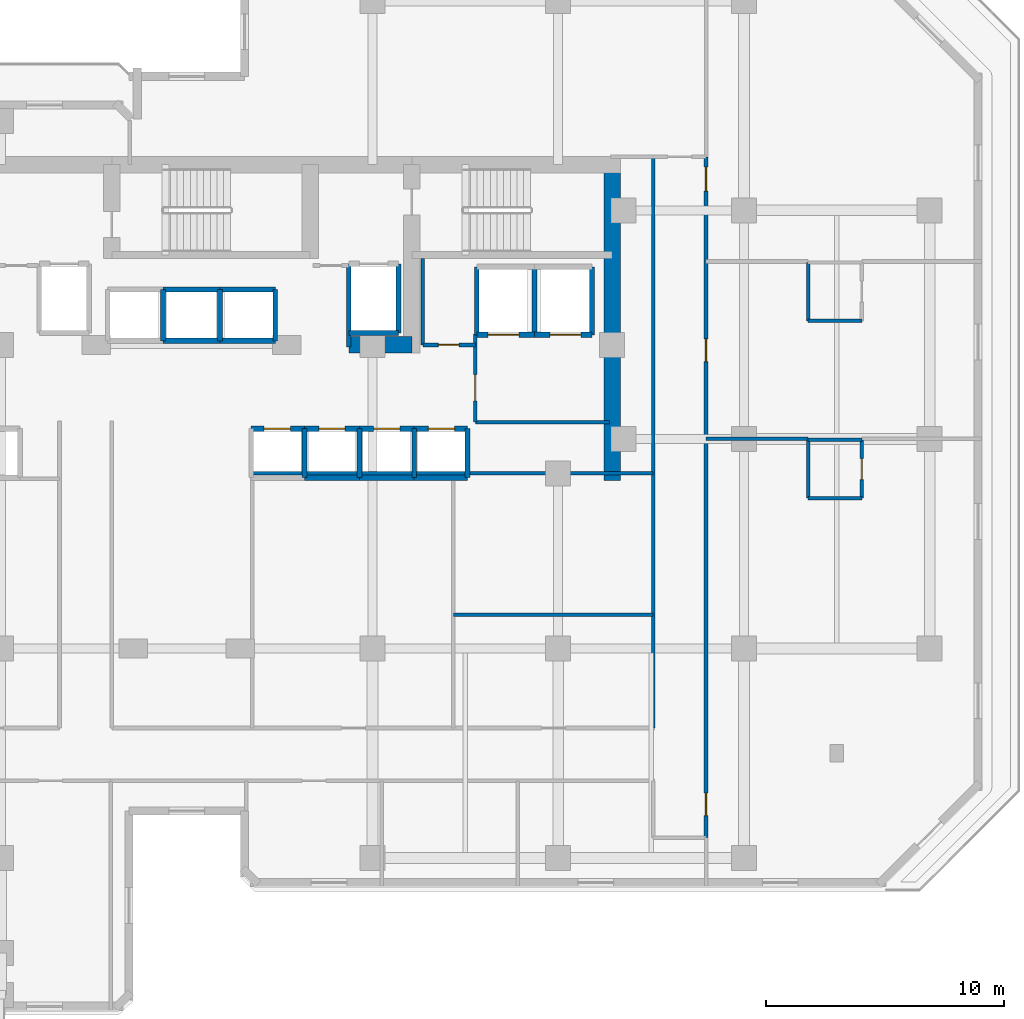
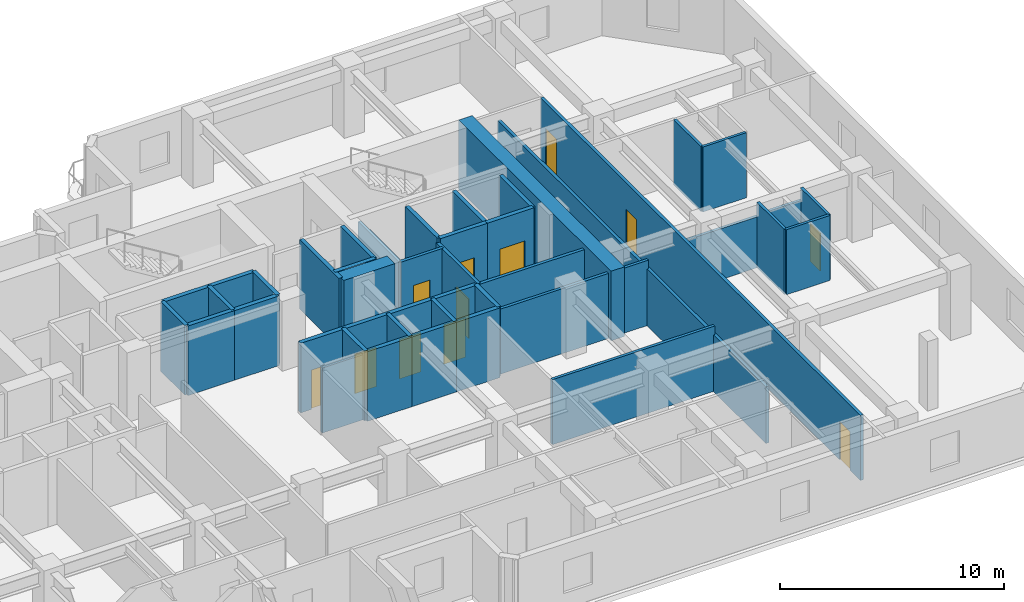
# One storey, part 7 of 11: 43 walls, 12 doors, 12 openings.
"""IFC4 building model written with IfcOpenShell, lengths in metres."""

from ifc_helpers import new_model, si_unit, direction, frame, frame_2d, origin, place, context, subcontext, project, spatial, rectangle, extrude, material, layer, layer_set, type_object, element, fill, save


model = new_model("IFC4")

# Units and contexts
model_context = context("Model", 3, precision=1e-05, world=origin(), true_north=direction((0.0, 1.0)))
body_context = subcontext(model_context, "Body", "Model", "MODEL_VIEW")
ifc_project = project(units=[si_unit("LENGTHUNIT", "METRE"), si_unit("AREAUNIT", "SQUARE_METRE"), si_unit("VOLUMEUNIT", "CUBIC_METRE"), si_unit("PLANEANGLEUNIT", "RADIAN"), si_unit("MASSUNIT", "GRAM", prefix="KILO")], contexts=[model_context])

# Site, building, storey
site_placement = place(None, origin())
site = spatial("IfcSite", under=ifc_project, at=site_placement, CompositionType="ELEMENT")
building_placement = place(site_placement, origin())
building = spatial("IfcBuilding", under=site, at=building_placement, Name="Kestravale Grand Hotel", CompositionType="ELEMENT")
storey_placement = place(building_placement, frame((0.0, 0.0, 134.60009765625)))
storey = spatial("IfcBuildingStorey", under=building, at=storey_placement, Name="L33", CompositionType="ELEMENT", Elevation=134.60009765625)

# Walls
ifc_material_1 = material(Name="Concrete f'c 60 MPa", Category="concrete")
ifc_layer_1 = layer(ifc_material_1, 0.699951171875)
ifc_layer_set_1 = layer_set([ifc_layer_1], Name="EW-CORE-700")
wall_type_1 = type_object("IfcWallType", Name="EW-CORE-700", PredefinedType="SHEAR", material=ifc_layer_set_1)
wall_1_placement = place(storey_placement, frame((56.8701171875, 27.050048828125, 0.0), z_axis=(0.0, 0.0, 1.0), x_axis=(0.0, 1.0, 0.0)))
element("IfcWall", 1, at=wall_1_placement, inside=storey, type_object=wall_type_1, Name="L33 core shear wall E1", PredefinedType="SHEAR", context=body_context, shape_type="SweptSolid", body=[
    extrude(rectangle(XDim=13.619873046875, YDim=0.699951171875, at=frame_2d((6.81005859375, 0.0))), origin(), (0.0, 0.0, 1.0), 3.7998046875),
])
wall_2_placement = place(storey_placement, frame((45.81005859375, 32.75, 0.0), z_axis=(0.0, 0.0, 1.0), x_axis=(1.0, 0.0, 0.0)))
element("IfcWall", 2, at=wall_2_placement, inside=storey, type_object=wall_type_1, Name="L33 core shear wall S2", PredefinedType="SHEAR", context=body_context, shape_type="SweptSolid", body=[
    extrude(rectangle(XDim=2.639892578125, YDim=0.699951171875, at=frame_2d((1.31982421875, 0.0))), origin(), (0.0, 0.0, 1.0), 3.7998046875),
])

# Wall, opening, door
ifc_material_2 = material(Name="Acoustic fire-rated gypsum board partition", Category="other")
ifc_layer_2 = layer(ifc_material_2, 0.159912109375)
ifc_layer_set_2 = layer_set([ifc_layer_2], Name="IW-CORR-160")
wall_type_2 = type_object("IfcWallType", Name="IW-CORR-160", PredefinedType="PARTITIONING", material=ifc_layer_set_2)
wall_3_placement = place(storey_placement, frame((51.1201171875, 29.5, 0.0), z_axis=(0.0, 0.0, 1.0), x_axis=(0.0, 1.0, 0.0)))
wall_3 = element("IfcWall", 3, at=wall_3_placement, inside=storey, type_object=wall_type_2, Name="W-L33-SVCLOB-W", PredefinedType="PARTITIONING", context=body_context, shape_type="SweptSolid", body=[
    extrude(rectangle(XDim=3.699951171875, YDim=0.159912109375, at=frame_2d((1.85009765625, 0.0))), origin(), (0.0, 0.0, 1.0), 3.5498046875),
])
opening_1_placement = place(wall_3_placement, frame((0.89990234375, 0.0, 0.0)))
opening_1 = element("IfcOpeningElement", 4, at=opening_1_placement, cuts=wall_3, Name="Opening D-CORR-1100", PredefinedType="OPENING", context=body_context, shape_type="SweptSolid", body=[
    extrude(rectangle(XDim=1.10009765625, YDim=2.14990234375, at=frame_2d((0.550048828125, 1.074951171875))), frame((0.0, 0.08984375, 0.0), z_axis=(0.0, -1.0, 0.0), x_axis=(1.0, 0.0, 0.0)), (0.0, 0.0, 1.0), 0.179931640625),
])
ifc_material_3 = material(Name="Single-leaf service vestibule fire door", Category="steel")
door_type_1 = type_object("IfcDoorType", Name="D-CORR-1100", OperationType="NOTDEFINED", PredefinedType="DOOR", material=ifc_material_3)
door_1_placement = place(opening_1_placement, origin())
door_1 = element("IfcDoor", 5, at=door_1_placement, inside=storey, type_object=door_type_1, Name="L33 service lift lobby door", OperationType="SINGLE_SWING_LEFT", OverallHeight=2.14990234375, OverallWidth=1.10009765625, PredefinedType="DOOR", context=body_context, shape_type="SweptSolid", body=[
    extrude(rectangle(XDim=1.10009765625, YDim=2.14990234375, at=frame_2d((0.550048828125, 1.074951171875))), frame((0.0, 0.02490234375, 0.0), z_axis=(0.0, -1.0, 0.0), x_axis=(1.0, 0.0, 0.0)), (0.0, 0.0, 1.0), 0.050048828125),
])
fill(opening_1, door_1)

# Wall
wall_4_placement = place(storey_placement, frame((51.1201171875, 29.5, 0.0), z_axis=(0.0, 0.0, 1.0), x_axis=(1.0, 0.0, 0.0)))
element("IfcWall", 6, at=wall_4_placement, inside=storey, type_object=wall_type_2, Name="L33 service lift lobby wall", PredefinedType="PARTITIONING", context=body_context, shape_type="SweptSolid", body=[
    extrude(rectangle(XDim=5.6298828125, YDim=0.159912109375, at=frame_2d((2.81494140625, 0.0))), origin(), (0.0, 0.0, 1.0), 3.5498046875),
])

# Wall, opening, door
wall_5_placement = place(storey_placement, frame((48.919921875, 32.75, 0.0), z_axis=(0.0, 0.0, 1.0), x_axis=(1.0, 0.0, 0.0)))
wall_5 = element("IfcWall", 7, at=wall_5_placement, inside=storey, type_object=wall_type_2, Name="W-L33-CES", PredefinedType="PARTITIONING", context=body_context, shape_type="SweptSolid", body=[
    extrude(rectangle(XDim=2.2001953125, YDim=0.159912109375, at=frame_2d((1.10009765625, 0.0))), origin(), (0.0, 0.0, 1.0), 3.5498046875),
])
opening_2_placement = place(wall_5_placement, frame((0.64990234375, 0.0, 0.0)))
opening_2 = element("IfcOpeningElement", 8, at=opening_2_placement, cuts=wall_5, Name="Opening D-SH-860", PredefinedType="OPENING", context=body_context, shape_type="SweptSolid", body=[
    extrude(rectangle(XDim=0.860107421875, YDim=2.050048828125, at=frame_2d((0.43017578125, 1.02490234375))), frame((0.0, 0.08984375, 0.0), z_axis=(0.0, -1.0, 0.0), x_axis=(1.0, 0.0, 0.0)), (0.0, 0.0, 1.0), 0.179931640625),
])
ifc_material_4 = material(Name="Galvanised 90-minute riser fire door", Category="steel")
door_type_2 = type_object("IfcDoorType", Name="D-SH-860", OperationType="NOTDEFINED", PredefinedType="DOOR", material=ifc_material_4)
door_2_placement = place(opening_2_placement, origin())
door_2 = element("IfcDoor", 9, at=door_2_placement, inside=storey, type_object=door_type_2, Name="L33 CSTO1 door", OperationType="SINGLE_SWING_RIGHT", OverallHeight=2.050048828125, OverallWidth=0.860107421875, PredefinedType="DOOR", context=body_context, shape_type="SweptSolid", body=[
    extrude(rectangle(XDim=0.860107421875, YDim=2.050048828125, at=frame_2d((0.43017578125, 1.02490234375))), frame((0.0, 0.02490234375, 0.0), z_axis=(0.0, -1.0, 0.0), x_axis=(1.0, 0.0, 0.0)), (0.0, 0.0, 1.0), 0.050048828125),
])
fill(opening_2, door_2)

# Wall, openings, doors
wall_6_placement = place(storey_placement, frame((60.81005859375, 12.050048828125, 0.0), z_axis=(0.0, 0.0, 1.0), x_axis=(0.0, 1.0, 0.0)))
wall_6 = element("IfcWall", 10, at=wall_6_placement, inside=storey, type_object=wall_type_2, Name="W-L33-SE-E", PredefinedType="PARTITIONING", context=body_context, shape_type="SweptSolid", body=[
    extrude(rectangle(XDim=28.599853515625, YDim=0.159912109375, at=frame_2d((14.2998046875, 0.0))), origin(), (0.0, 0.0, 1.0), 3.5498046875),
])
opening_3_placement = place(wall_6_placement, frame((0.925048828125, 0.0, 0.0)))
opening_3 = element("IfcOpeningElement", 11, at=opening_3_placement, cuts=wall_6, Name="Opening D-GUEST-950", PredefinedType="OPENING", context=body_context, shape_type="SweptSolid", body=[
    extrude(rectangle(XDim=0.949951171875, YDim=2.10009765625, at=frame_2d((0.47509765625, 1.050048828125))), frame((0.0, 0.08984375, 0.0), z_axis=(0.0, -1.0, 0.0), x_axis=(1.0, 0.0, 0.0)), (0.0, 0.0, 1.0), 0.179931640625),
])
opening_4_placement = place(wall_6_placement, frame((20.0, 0.0, 0.0)))
opening_4 = element("IfcOpeningElement", 12, at=opening_4_placement, cuts=wall_6, Name="Opening D-GUEST-950", PredefinedType="OPENING", context=body_context, shape_type="SweptSolid", body=[
    extrude(rectangle(XDim=0.949951171875, YDim=2.10009765625, at=frame_2d((0.47509765625, 1.050048828125))), frame((0.0, 0.08984375, 0.0), z_axis=(0.0, -1.0, 0.0), x_axis=(1.0, 0.0, 0.0)), (0.0, 0.0, 1.0), 0.179931640625),
])
opening_5_placement = place(wall_6_placement, frame((27.159912109375, 0.0, 0.0)))
opening_5 = element("IfcOpeningElement", 13, at=opening_5_placement, cuts=wall_6, Name="Opening D-GUEST-1000", PredefinedType="OPENING", context=body_context, shape_type="SweptSolid", body=[
    extrude(rectangle(XDim=1.0, YDim=2.14990234375, at=frame_2d((0.5, 1.074951171875))), frame((0.0, 0.08984375, 0.0), z_axis=(0.0, -1.0, 0.0), x_axis=(1.0, 0.0, 0.0)), (0.0, 0.0, 1.0), 0.179931640625),
])
ifc_material_5 = material(Name="Accessible walnut veneer hotel entrance fire door", Category="wood")
door_type_3 = type_object("IfcDoorType", Name="D-GUEST-1000", OperationType="NOTDEFINED", PredefinedType="DOOR", material=ifc_material_5)
door_3_placement = place(opening_5_placement, origin())
door_3 = element("IfcDoor", 14, at=door_3_placement, inside=storey, type_object=door_type_3, Name="D-L33-AMEW", OperationType="SINGLE_SWING_RIGHT", OverallHeight=2.14990234375, OverallWidth=1.0, PredefinedType="DOOR", context=body_context, shape_type="SweptSolid", body=[
    extrude(rectangle(XDim=1.0, YDim=2.14990234375, at=frame_2d((0.5, 1.074951171875))), frame((0.0, 0.02490234375, 0.0), z_axis=(0.0, -1.0, 0.0), x_axis=(1.0, 0.0, 0.0)), (0.0, 0.0, 1.0), 0.050048828125),
])
fill(opening_5, door_3)
ifc_material_6 = material(Name="Walnut veneer hotel guestroom entrance fire door", Category="wood")
door_type_4 = type_object("IfcDoorType", Name="D-GUEST-950", OperationType="NOTDEFINED", PredefinedType="DOOR", material=ifc_material_6)
door_4_placement = place(opening_3_placement, origin())
door_4 = element("IfcDoor", 15, at=door_4_placement, inside=storey, type_object=door_type_4, Name="D-L33-U06-ENT", OperationType="SINGLE_SWING_LEFT", OverallHeight=2.10009765625, OverallWidth=0.949951171875, PredefinedType="DOOR", context=body_context, shape_type="SweptSolid", body=[
    extrude(rectangle(XDim=0.949951171875, YDim=2.10009765625, at=frame_2d((0.47509765625, 1.050048828125))), frame((0.0, 0.02490234375, 0.0), z_axis=(0.0, -1.0, 0.0), x_axis=(1.0, 0.0, 0.0)), (0.0, 0.0, 1.0), 0.050048828125),
])
fill(opening_3, door_4)
door_5_placement = place(opening_4_placement, origin())
door_5 = element("IfcDoor", 16, at=door_5_placement, inside=storey, type_object=door_type_4, Name="D-L33-U07-ENT", OperationType="SINGLE_SWING_LEFT", OverallHeight=2.10009765625, OverallWidth=0.949951171875, PredefinedType="DOOR", context=body_context, shape_type="SweptSolid", body=[
    extrude(rectangle(XDim=0.949951171875, YDim=2.10009765625, at=frame_2d((0.47509765625, 1.050048828125))), frame((0.0, 0.02490234375, 0.0), z_axis=(0.0, -1.0, 0.0), x_axis=(1.0, 0.0, 0.0)), (0.0, 0.0, 1.0), 0.050048828125),
])
fill(opening_4, door_5)

# Walls
wall_7_placement = place(storey_placement, frame((58.590087890625, 16.659912109375, 0.0), z_axis=(0.0, 0.0, 1.0), x_axis=(0.0, 1.0, 0.0)))
element("IfcWall", 17, at=wall_7_placement, inside=storey, type_object=wall_type_2, Name="W-L33-SE-WU", PredefinedType="PARTITIONING", context=body_context, shape_type="SweptSolid", body=[
    extrude(rectangle(XDim=23.989990234375, YDim=0.159912109375, at=frame_2d((11.9951171875, 0.0))), origin(), (0.0, 0.0, 1.0), 3.093017578125),
])
ifc_material_7 = material(Name="Moisture-resistant tile-backer plumbing chase wall", Category="other")
ifc_layer_3 = layer(ifc_material_7, 0.139892578125)
ifc_layer_set_3 = layer_set([ifc_layer_3], Name="IW-PLB-140")
wall_type_3 = type_object("IfcWallType", Name="IW-PLB-140", PredefinedType="PLUMBINGWALL", material=ifc_layer_set_3)
wall_8_placement = place(storey_placement, frame((65.10009765625, 26.31005859375, 0.0), z_axis=(0.0, 0.0, 1.0), x_axis=(0.0, 1.0, 0.0)))
element("IfcWall", 18, at=wall_8_placement, inside=storey, type_object=wall_type_3, Name="W-L33-U06-BW", PredefinedType="PLUMBINGWALL", context=body_context, shape_type="SweptSolid", body=[
    extrude(rectangle(XDim=2.449951171875, YDim=0.139892578125, at=frame_2d((1.22509765625, 0.0))), origin(), (0.0, 0.0, 1.0), 3.5498046875),
])

# Wall, opening, door
wall_9_placement = place(storey_placement, frame((67.35009765625, 26.31005859375, 0.0), z_axis=(0.0, 0.0, 1.0), x_axis=(0.0, 1.0, 0.0)))
wall_9 = element("IfcWall", 19, at=wall_9_placement, inside=storey, type_object=wall_type_3, Name="W-L33-U06-BE", PredefinedType="PLUMBINGWALL", context=body_context, shape_type="SweptSolid", body=[
    extrude(rectangle(XDim=2.449951171875, YDim=0.139892578125, at=frame_2d((1.22509765625, 0.0))), origin(), (0.0, 0.0, 1.0), 3.5498046875),
])
opening_6_placement = place(wall_9_placement, frame((0.784912109375, 0.0, 0.0)))
opening_6 = element("IfcOpeningElement", 20, at=opening_6_placement, cuts=wall_9, Name="Opening D-BATH-880", PredefinedType="OPENING", context=body_context, shape_type="SweptSolid", body=[
    extrude(rectangle(XDim=0.8798828125, YDim=2.050048828125, at=frame_2d((0.43994140625, 1.02490234375))), frame((0.0, 0.079833984375, 0.0), z_axis=(0.0, -1.0, 0.0), x_axis=(1.0, 0.0, 0.0)), (0.0, 0.0, 1.0), 0.159912109375),
])
ifc_material_8 = material(Name="Moisture-sealed walnut en-suite bathroom door", Category="wood")
door_type_5 = type_object("IfcDoorType", Name="D-BATH-880", OperationType="NOTDEFINED", PredefinedType="DOOR", material=ifc_material_8)
door_6_placement = place(opening_6_placement, origin())
door_6 = element("IfcDoor", 21, at=door_6_placement, inside=storey, type_object=door_type_5, Name="D-L33-U06-BATH", OperationType="SINGLE_SWING_RIGHT", OverallHeight=2.050048828125, OverallWidth=0.8798828125, PredefinedType="DOOR", context=body_context, shape_type="SweptSolid", body=[
    extrude(rectangle(XDim=0.8798828125, YDim=2.050048828125, at=frame_2d((0.43994140625, 1.02490234375))), frame((0.0, 0.02490234375, 0.0), z_axis=(0.0, -1.0, 0.0), x_axis=(1.0, 0.0, 0.0)), (0.0, 0.0, 1.0), 0.050048828125),
])
fill(opening_6, door_6)

# Walls
wall_10_placement = place(storey_placement, frame((65.10009765625, 26.31005859375, 0.0), z_axis=(0.0, 0.0, 1.0), x_axis=(1.0, 0.0, 0.0)))
element("IfcWall", 22, at=wall_10_placement, inside=storey, type_object=wall_type_3, Name="W-L33-U06-BS", PredefinedType="PLUMBINGWALL", context=body_context, shape_type="SweptSolid", body=[
    extrude(rectangle(XDim=2.25, YDim=0.139892578125, at=frame_2d((1.125, 0.0))), origin(), (0.0, 0.0, 1.0), 3.5498046875),
])
wall_11_placement = place(storey_placement, frame((65.10009765625, 28.760009765625, 0.0), z_axis=(0.0, 0.0, 1.0), x_axis=(1.0, 0.0, 0.0)))
element("IfcWall", 23, at=wall_11_placement, inside=storey, type_object=wall_type_3, Name="W-L33-U06-BN", PredefinedType="PLUMBINGWALL", context=body_context, shape_type="SweptSolid", body=[
    extrude(rectangle(XDim=2.25, YDim=0.139892578125, at=frame_2d((1.125, 0.0))), origin(), (0.0, 0.0, 1.0), 2.89990234375),
])
wall_12_placement = place(storey_placement, frame((65.10009765625, 33.760009765625, 0.0), z_axis=(0.0, 0.0, 1.0), x_axis=(0.0, 1.0, 0.0)))
element("IfcWall", 24, at=wall_12_placement, inside=storey, type_object=wall_type_3, Name="W-L33-U07-BW", PredefinedType="PLUMBINGWALL", context=body_context, shape_type="SweptSolid", body=[
    extrude(rectangle(XDim=2.449951171875, YDim=0.139892578125, at=frame_2d((1.22509765625, 0.0))), origin(), (0.0, 0.0, 1.0), 3.5498046875),
])
wall_13_placement = place(storey_placement, frame((65.10009765625, 33.760009765625, 0.0), z_axis=(0.0, 0.0, 1.0), x_axis=(1.0, 0.0, 0.0)))
element("IfcWall", 25, at=wall_13_placement, inside=storey, type_object=wall_type_3, Name="W-L33-U07-BS", PredefinedType="PLUMBINGWALL", context=body_context, shape_type="SweptSolid", body=[
    extrude(rectangle(XDim=2.25, YDim=0.139892578125, at=frame_2d((1.125, 0.0))), origin(), (0.0, 0.0, 1.0), 3.5498046875),
])
ifc_material_9 = material(Name="Concrete f'c 45 MPa", Category="concrete")
ifc_layer_4 = layer(ifc_material_9, 0.199951171875)
ifc_layer_set_4 = layer_set([ifc_layer_4], Name="IW-SHAFT-200")
wall_type_4 = type_object("IfcWallType", Name="IW-SHAFT-200", PredefinedType="SHEAR", material=ifc_layer_set_4)
for number, where, z_axis, x_axis, name in (
    (26, (43.949951171875, 27.169921875, 0.0), (0.0, 0.0, 1.0), (0.0, 1.0, 0.0), "L33 PL-M2 west shaft wall"),
    (27, (46.25, 27.169921875, 0.0), (0.0, 0.0, 1.0), (0.0, 1.0, 0.0), "L33 PL-M3 west shaft wall"),
    (28, (48.550048828125, 27.169921875, 0.0), (0.0, 0.0, 1.0), (0.0, 1.0, 0.0), "L33 PL-M4 west shaft wall"),
    (29, (50.794921875, 27.169921875, 0.0), (0.0, 0.0, 1.0), (0.0, 1.0, 0.0), "L33 PL-M4 east shaft wall"),
):
    element("IfcWall", number, at=place(storey_placement, frame(where, z_axis=z_axis, x_axis=x_axis)), inside=storey, type_object=wall_type_4, Name=name, PredefinedType="SHEAR", context=body_context, shape_type="SweptSolid", body=[
        extrude(rectangle(XDim=2.06005859375, YDim=0.199951171875, at=frame_2d((1.030029296875, 0.0))), origin(), (0.0, 0.0, 1.0), 3.7998046875),
    ])
for number, where, z_axis, x_axis, name in (
    (30, (38.0, 32.919921875, 0.0), (0.0, 0.0, 1.0), (0.0, 1.0, 0.0), "L33 PL-X2 west shaft wall"),
    (31, (40.39990234375, 32.919921875, 0.0), (0.0, 0.0, 1.0), (0.0, 1.0, 0.0), "L33 PL-X3 west shaft wall"),
    (32, (42.719970703125, 32.919921875, 0.0), (0.0, 0.0, 1.0), (0.0, 1.0, 0.0), "L33 PL-X3 east shaft wall"),
):
    element("IfcWall", number, at=place(storey_placement, frame(where, z_axis=z_axis, x_axis=x_axis)), inside=storey, type_object=wall_type_4, Name=name, PredefinedType="SHEAR", context=body_context, shape_type="SweptSolid", body=[
        extrude(rectangle(XDim=2.16015625, YDim=0.199951171875, at=frame_2d((1.080078125, 0.0))), origin(), (0.0, 0.0, 1.0), 3.7998046875),
    ])
for number, where, z_axis, x_axis, name in (
    (33, (51.179931640625, 33.169921875, 0.0), (0.0, 0.0, 1.0), (0.0, 1.0, 0.0), "L33 SL-1 west shaft wall"),
    (34, (53.60009765625, 33.169921875, 0.0), (0.0, 0.0, 1.0), (0.0, 1.0, 0.0), "L33 SL-2 west shaft wall"),
    (35, (56.02001953125, 33.169921875, 0.0), (0.0, 0.0, 1.0), (0.0, 1.0, 0.0), "L33 SL-2 east shaft wall"),
):
    element("IfcWall", number, at=place(storey_placement, frame(where, z_axis=z_axis, x_axis=x_axis)), inside=storey, type_object=wall_type_4, Name=name, PredefinedType="SHEAR", context=body_context, shape_type="SweptSolid", body=[
        extrude(rectangle(XDim=2.860107421875, YDim=0.199951171875, at=frame_2d((1.43017578125, 0.0))), origin(), (0.0, 0.0, 1.0), 3.7998046875),
    ])
wall_14_placement = place(storey_placement, frame((45.804931640625, 32.64990234375, 0.0), z_axis=(0.0, 0.0, 1.0), x_axis=(0.0, 1.0, 0.0)))
element("IfcWall", 36, at=wall_14_placement, inside=storey, type_object=wall_type_4, Name="L33 FL-2 west shaft wall", PredefinedType="SHEAR", context=body_context, shape_type="SweptSolid", body=[
    extrude(rectangle(XDim=3.505126953125, YDim=0.199951171875, at=frame_2d((1.75244140625, 0.0))), origin(), (0.0, 0.0, 1.0), 3.7998046875),
])
wall_15_placement = place(storey_placement, frame((47.89501953125, 33.2451171875, 0.0), z_axis=(0.0, 0.0, 1.0), x_axis=(0.0, 1.0, 0.0)))
element("IfcWall", 37, at=wall_15_placement, inside=storey, type_object=wall_type_4, Name="L33 FL-2 east shaft wall", PredefinedType="SHEAR", context=body_context, shape_type="SweptSolid", body=[
    extrude(rectangle(XDim=2.909912109375, YDim=0.199951171875, at=frame_2d((1.455078125, 0.0))), origin(), (0.0, 0.0, 1.0), 3.7998046875),
])

# Wall, opening, door
ifc_material_10 = material(Name="Concrete f'c 45 MPa", Category="concrete")
ifc_layer_5 = layer(ifc_material_10, 0.219970703125)
ifc_layer_set_5 = layer_set([ifc_layer_5], Name="IW-SHAFT-220")
wall_type_5 = type_object("IfcWallType", Name="IW-SHAFT-220", PredefinedType="SHEAR", material=ifc_layer_set_5)
wall_16_placement = place(storey_placement, frame((41.705078125, 29.22998046875, 0.0), z_axis=(0.0, 0.0, 1.0), x_axis=(1.0, 0.0, 0.0)))
wall_16 = element("IfcWall", 38, at=wall_16_placement, inside=storey, type_object=wall_type_5, Name="L33 PL-M1 north shaft wall", PredefinedType="SHEAR", context=body_context, shape_type="SweptSolid", body=[
    extrude(rectangle(XDim=2.244873046875, YDim=0.219970703125, at=frame_2d((1.12255859375, 0.0))), origin(), (0.0, 0.0, 1.0), 3.7998046875),
])
opening_7_placement = place(wall_16_placement, frame((0.544921875, 0.0, 0.0)))
opening_7 = element("IfcOpeningElement", 39, at=opening_7_placement, cuts=wall_16, Name="Opening LD-PAX-1100", PredefinedType="OPENING", context=body_context, shape_type="SweptSolid", body=[
    extrude(rectangle(XDim=1.10009765625, YDim=2.14990234375, at=frame_2d((0.550048828125, 1.074951171875))), frame((0.0, 0.119873046875, 0.0), z_axis=(0.0, -1.0, 0.0), x_axis=(1.0, 0.0, 0.0)), (0.0, 0.0, 1.0), 0.239990234375),
])
ifc_material_11 = material(Name="Champagne-bronze center-opening sliding elevator landing door", Category="steel")
door_type_6 = type_object("IfcDoorType", Name="LD-PAX-1100", OperationType="NOTDEFINED", PredefinedType="DOOR", material=ifc_material_11)
door_7_placement = place(opening_7_placement, origin())
door_7 = element("IfcDoor", 40, at=door_7_placement, inside=storey, type_object=door_type_6, Name="L33 PL-M1 elevator landing sliding door", OperationType="DOUBLE_DOOR_SLIDING", OverallHeight=2.14990234375, OverallWidth=1.10009765625, PredefinedType="DOOR", context=body_context, shape_type="SweptSolid", body=[
    extrude(rectangle(XDim=1.10009765625, YDim=2.14990234375, at=frame_2d((0.550048828125, 1.074951171875))), frame((0.0, 0.02490234375, 0.0), z_axis=(0.0, -1.0, 0.0), x_axis=(1.0, 0.0, 0.0)), (0.0, 0.0, 1.0), 0.050048828125),
])
fill(opening_7, door_7)

wall_17_placement = place(storey_placement, frame((43.949951171875, 29.22998046875, 0.0), z_axis=(0.0, 0.0, 1.0), x_axis=(1.0, 0.0, 0.0)))
wall_17 = element("IfcWall", 41, at=wall_17_placement, inside=storey, type_object=wall_type_5, Name="L33 PL-M2 north shaft wall", PredefinedType="SHEAR", context=body_context, shape_type="SweptSolid", body=[
    extrude(rectangle(XDim=2.300048828125, YDim=0.219970703125, at=frame_2d((1.14990234375, 0.0))), origin(), (0.0, 0.0, 1.0), 3.7998046875),
])
opening_8_placement = place(wall_17_placement, frame((0.60009765625, 0.0, 0.0)))
opening_8 = element("IfcOpeningElement", 42, at=opening_8_placement, cuts=wall_17, Name="Opening LD-PAX-1100", PredefinedType="OPENING", context=body_context, shape_type="SweptSolid", body=[
    extrude(rectangle(XDim=1.10009765625, YDim=2.14990234375, at=frame_2d((0.550048828125, 1.074951171875))), frame((0.0, 0.119873046875, 0.0), z_axis=(0.0, -1.0, 0.0), x_axis=(1.0, 0.0, 0.0)), (0.0, 0.0, 1.0), 0.239990234375),
])
door_8_placement = place(opening_8_placement, origin())
door_8 = element("IfcDoor", 43, at=door_8_placement, inside=storey, type_object=door_type_6, Name="L33 PL-M2 elevator landing sliding door", OperationType="DOUBLE_DOOR_SLIDING", OverallHeight=2.14990234375, OverallWidth=1.10009765625, PredefinedType="DOOR", context=body_context, shape_type="SweptSolid", body=[
    extrude(rectangle(XDim=1.10009765625, YDim=2.14990234375, at=frame_2d((0.550048828125, 1.074951171875))), frame((0.0, 0.02490234375, 0.0), z_axis=(0.0, -1.0, 0.0), x_axis=(1.0, 0.0, 0.0)), (0.0, 0.0, 1.0), 0.050048828125),
])
fill(opening_8, door_8)

# Wall
wall_18_placement = place(storey_placement, frame((43.949951171875, 27.169921875, 0.0), z_axis=(0.0, 0.0, 1.0), x_axis=(1.0, 0.0, 0.0)))
element("IfcWall", 44, at=wall_18_placement, inside=storey, type_object=wall_type_5, Name="L33 PL-M2 south shaft wall", PredefinedType="SHEAR", context=body_context, shape_type="SweptSolid", body=[
    extrude(rectangle(XDim=2.300048828125, YDim=0.219970703125, at=frame_2d((1.14990234375, 0.0))), origin(), (0.0, 0.0, 1.0), 3.7998046875),
])

# Wall, opening, door
wall_19_placement = place(storey_placement, frame((46.25, 29.22998046875, 0.0), z_axis=(0.0, 0.0, 1.0), x_axis=(1.0, 0.0, 0.0)))
wall_19 = element("IfcWall", 45, at=wall_19_placement, inside=storey, type_object=wall_type_5, Name="L33 PL-M3 north shaft wall", PredefinedType="SHEAR", context=body_context, shape_type="SweptSolid", body=[
    extrude(rectangle(XDim=2.300048828125, YDim=0.219970703125, at=frame_2d((1.14990234375, 0.0))), origin(), (0.0, 0.0, 1.0), 3.7998046875),
])
opening_9_placement = place(wall_19_placement, frame((0.60009765625, 0.0, 0.0)))
opening_9 = element("IfcOpeningElement", 46, at=opening_9_placement, cuts=wall_19, Name="Opening LD-PAX-1100", PredefinedType="OPENING", context=body_context, shape_type="SweptSolid", body=[
    extrude(rectangle(XDim=1.10009765625, YDim=2.14990234375, at=frame_2d((0.550048828125, 1.074951171875))), frame((0.0, 0.119873046875, 0.0), z_axis=(0.0, -1.0, 0.0), x_axis=(1.0, 0.0, 0.0)), (0.0, 0.0, 1.0), 0.239990234375),
])
door_9_placement = place(opening_9_placement, origin())
door_9 = element("IfcDoor", 47, at=door_9_placement, inside=storey, type_object=door_type_6, Name="L33 PL-M3 elevator landing sliding door", OperationType="DOUBLE_DOOR_SLIDING", OverallHeight=2.14990234375, OverallWidth=1.10009765625, PredefinedType="DOOR", context=body_context, shape_type="SweptSolid", body=[
    extrude(rectangle(XDim=1.10009765625, YDim=2.14990234375, at=frame_2d((0.550048828125, 1.074951171875))), frame((0.0, 0.02490234375, 0.0), z_axis=(0.0, -1.0, 0.0), x_axis=(1.0, 0.0, 0.0)), (0.0, 0.0, 1.0), 0.050048828125),
])
fill(opening_9, door_9)

# Wall
wall_20_placement = place(storey_placement, frame((46.25, 27.169921875, 0.0), z_axis=(0.0, 0.0, 1.0), x_axis=(1.0, 0.0, 0.0)))
element("IfcWall", 48, at=wall_20_placement, inside=storey, type_object=wall_type_5, Name="L33 PL-M3 south shaft wall", PredefinedType="SHEAR", context=body_context, shape_type="SweptSolid", body=[
    extrude(rectangle(XDim=2.300048828125, YDim=0.219970703125, at=frame_2d((1.14990234375, 0.0))), origin(), (0.0, 0.0, 1.0), 3.7998046875),
])

# Wall, opening, door
wall_21_placement = place(storey_placement, frame((48.550048828125, 29.22998046875, 0.0), z_axis=(0.0, 0.0, 1.0), x_axis=(1.0, 0.0, 0.0)))
wall_21 = element("IfcWall", 49, at=wall_21_placement, inside=storey, type_object=wall_type_5, Name="L33 PL-M4 north shaft wall", PredefinedType="SHEAR", context=body_context, shape_type="SweptSolid", body=[
    extrude(rectangle(XDim=2.244873046875, YDim=0.219970703125, at=frame_2d((1.12255859375, 0.0))), origin(), (0.0, 0.0, 1.0), 3.7998046875),
])
opening_10_placement = place(wall_21_placement, frame((0.60009765625, 0.0, 0.0)))
opening_10 = element("IfcOpeningElement", 50, at=opening_10_placement, cuts=wall_21, Name="Opening LD-PAX-1100", PredefinedType="OPENING", context=body_context, shape_type="SweptSolid", body=[
    extrude(rectangle(XDim=1.10009765625, YDim=2.14990234375, at=frame_2d((0.550048828125, 1.074951171875))), frame((0.0, 0.119873046875, 0.0), z_axis=(0.0, -1.0, 0.0), x_axis=(1.0, 0.0, 0.0)), (0.0, 0.0, 1.0), 0.239990234375),
])
door_10_placement = place(opening_10_placement, origin())
door_10 = element("IfcDoor", 51, at=door_10_placement, inside=storey, type_object=door_type_6, Name="L33 PL-M4 elevator landing sliding door", OperationType="DOUBLE_DOOR_SLIDING", OverallHeight=2.14990234375, OverallWidth=1.10009765625, PredefinedType="DOOR", context=body_context, shape_type="SweptSolid", body=[
    extrude(rectangle(XDim=1.10009765625, YDim=2.14990234375, at=frame_2d((0.550048828125, 1.074951171875))), frame((0.0, 0.02490234375, 0.0), z_axis=(0.0, -1.0, 0.0), x_axis=(1.0, 0.0, 0.0)), (0.0, 0.0, 1.0), 0.050048828125),
])
fill(opening_10, door_10)

# Walls
wall_22_placement = place(storey_placement, frame((48.550048828125, 27.169921875, 0.0), z_axis=(0.0, 0.0, 1.0), x_axis=(1.0, 0.0, 0.0)))
element("IfcWall", 52, at=wall_22_placement, inside=storey, type_object=wall_type_5, Name="L33 PL-M4 south shaft wall", PredefinedType="SHEAR", context=body_context, shape_type="SweptSolid", body=[
    extrude(rectangle(XDim=2.244873046875, YDim=0.219970703125, at=frame_2d((1.12255859375, 0.0))), origin(), (0.0, 0.0, 1.0), 3.7998046875),
])
for number, where, z_axis, x_axis, name in (
    (53, (38.0, 35.080078125, 0.0), (0.0, 0.0, 1.0), (1.0, 0.0, 0.0), "L33 PL-X2 north shaft wall"),
    (54, (38.0, 32.919921875, 0.0), (0.0, 0.0, 1.0), (1.0, 0.0, 0.0), "L33 PL-X2 south shaft wall"),
):
    element("IfcWall", number, at=place(storey_placement, frame(where, z_axis=z_axis, x_axis=x_axis)), inside=storey, type_object=wall_type_5, Name=name, PredefinedType="SHEAR", context=body_context, shape_type="SweptSolid", body=[
        extrude(rectangle(XDim=2.39990234375, YDim=0.219970703125, at=frame_2d((1.199951171875, 0.0))), origin(), (0.0, 0.0, 1.0), 3.7998046875),
    ])
for number, where, z_axis, x_axis, name in (
    (55, (40.39990234375, 35.080078125, 0.0), (0.0, 0.0, 1.0), (1.0, 0.0, 0.0), "L33 PL-X3 north shaft wall"),
    (56, (40.39990234375, 32.919921875, 0.0), (0.0, 0.0, 1.0), (1.0, 0.0, 0.0), "L33 PL-X3 south shaft wall"),
):
    element("IfcWall", number, at=place(storey_placement, frame(where, z_axis=z_axis, x_axis=x_axis)), inside=storey, type_object=wall_type_5, Name=name, PredefinedType="SHEAR", context=body_context, shape_type="SweptSolid", body=[
        extrude(rectangle(XDim=2.320068359375, YDim=0.219970703125, at=frame_2d((1.16015625, 0.0))), origin(), (0.0, 0.0, 1.0), 3.7998046875),
    ])

# Wall, opening, door
wall_23_placement = place(storey_placement, frame((51.179931640625, 33.169921875, 0.0), z_axis=(0.0, 0.0, 1.0), x_axis=(1.0, 0.0, 0.0)))
wall_23 = element("IfcWall", 57, at=wall_23_placement, inside=storey, type_object=wall_type_5, Name="L33 SL-1 south shaft wall", PredefinedType="SHEAR", context=body_context, shape_type="SweptSolid", body=[
    extrude(rectangle(XDim=2.420166015625, YDim=0.219970703125, at=frame_2d((1.2099609375, 0.0))), origin(), (0.0, 0.0, 1.0), 3.7998046875),
])
opening_11_placement = place(wall_23_placement, frame((0.469970703125, 0.0, 0.0)))
opening_11 = element("IfcOpeningElement", 58, at=opening_11_placement, cuts=wall_23, Name="Opening LD-SVC-1300", PredefinedType="OPENING", context=body_context, shape_type="SweptSolid", body=[
    extrude(rectangle(XDim=1.300048828125, YDim=2.14990234375, at=frame_2d((0.64990234375, 1.074951171875))), frame((0.0, 0.119873046875, 0.0), z_axis=(0.0, -1.0, 0.0), x_axis=(1.0, 0.0, 0.0)), (0.0, 0.0, 1.0), 0.239990234375),
])
ifc_material_12 = material(Name="Heavy-duty service sliding elevator landing door", Category="steel")
door_type_7 = type_object("IfcDoorType", Name="LD-SVC-1300", OperationType="NOTDEFINED", PredefinedType="DOOR", material=ifc_material_12)
door_11_placement = place(opening_11_placement, origin())
door_11 = element("IfcDoor", 59, at=door_11_placement, inside=storey, type_object=door_type_7, Name="L33 SL-1 elevator landing sliding door", OperationType="DOUBLE_DOOR_SLIDING", OverallHeight=2.14990234375, OverallWidth=1.300048828125, PredefinedType="DOOR", context=body_context, shape_type="SweptSolid", body=[
    extrude(rectangle(XDim=1.300048828125, YDim=2.14990234375, at=frame_2d((0.64990234375, 1.074951171875))), frame((0.0, 0.02490234375, 0.0), z_axis=(0.0, -1.0, 0.0), x_axis=(1.0, 0.0, 0.0)), (0.0, 0.0, 1.0), 0.050048828125),
])
fill(opening_11, door_11)

wall_24_placement = place(storey_placement, frame((53.60009765625, 33.169921875, 0.0), z_axis=(0.0, 0.0, 1.0), x_axis=(1.0, 0.0, 0.0)))
wall_24 = element("IfcWall", 60, at=wall_24_placement, inside=storey, type_object=wall_type_5, Name="L33 SL-2 south shaft wall", PredefinedType="SHEAR", context=body_context, shape_type="SweptSolid", body=[
    extrude(rectangle(XDim=2.419921875, YDim=0.219970703125, at=frame_2d((1.2099609375, 0.0))), origin(), (0.0, 0.0, 1.0), 3.7998046875),
])
opening_12_placement = place(wall_24_placement, frame((0.64990234375, 0.0, 0.0)))
opening_12 = element("IfcOpeningElement", 61, at=opening_12_placement, cuts=wall_24, Name="Opening LD-SVC-1300", PredefinedType="OPENING", context=body_context, shape_type="SweptSolid", body=[
    extrude(rectangle(XDim=1.300048828125, YDim=2.14990234375, at=frame_2d((0.64990234375, 1.074951171875))), frame((0.0, 0.119873046875, 0.0), z_axis=(0.0, -1.0, 0.0), x_axis=(1.0, 0.0, 0.0)), (0.0, 0.0, 1.0), 0.239990234375),
])
door_12_placement = place(opening_12_placement, origin())
door_12 = element("IfcDoor", 62, at=door_12_placement, inside=storey, type_object=door_type_7, Name="L33 SL-2 elevator landing sliding door", OperationType="DOUBLE_DOOR_SLIDING", OverallHeight=2.14990234375, OverallWidth=1.300048828125, PredefinedType="DOOR", context=body_context, shape_type="SweptSolid", body=[
    extrude(rectangle(XDim=1.300048828125, YDim=2.14990234375, at=frame_2d((0.64990234375, 1.074951171875))), frame((0.0, 0.02490234375, 0.0), z_axis=(0.0, -1.0, 0.0), x_axis=(1.0, 0.0, 0.0)), (0.0, 0.0, 1.0), 0.050048828125),
])
fill(opening_12, door_12)

# Walls
wall_25_placement = place(storey_placement, frame((45.804931640625, 33.2451171875, 0.0), z_axis=(0.0, 0.0, 1.0), x_axis=(1.0, 0.0, 0.0)))
element("IfcWall", 63, at=wall_25_placement, inside=storey, type_object=wall_type_5, Name="L33 FL-2 south shaft wall", PredefinedType="SHEAR", context=body_context, shape_type="SweptSolid", body=[
    extrude(rectangle(XDim=2.090087890625, YDim=0.219970703125, at=frame_2d((1.044921875, 0.0))), origin(), (0.0, 0.0, 1.0), 3.7998046875),
])
ifc_material_13 = material(Name="Double-stud STC 52 acoustic demising partition", Category="other")
ifc_layer_6 = layer(ifc_material_13, 0.14990234375)
ifc_layer_set_6 = layer_set([ifc_layer_6], Name="IW-UNIT-150")
wall_type_6 = type_object("IfcWallType", Name="IW-UNIT-150", PredefinedType="PARTITIONING", material=ifc_layer_set_6)
wall_26_placement = place(storey_placement, frame((48.919921875, 32.75, 0.0), z_axis=(0.0, 0.0, 1.0), x_axis=(0.0, 1.0, 0.0)))
element("IfcWall", 64, at=wall_26_placement, inside=storey, type_object=wall_type_6, Name="W-L33-CEW", PredefinedType="PARTITIONING", context=body_context, shape_type="SweptSolid", body=[
    extrude(rectangle(XDim=3.6201171875, YDim=0.14990234375, at=frame_2d((1.81005859375, 0.0))), origin(), (0.0, 0.0, 1.0), 3.5498046875),
])
wall_27_placement = place(storey_placement, frame((41.75, 27.35009765625, 0.0), z_axis=(0.0, 0.0, 1.0), x_axis=(1.0, 0.0, 0.0)))
element("IfcWall", 65, at=wall_27_placement, inside=storey, type_object=wall_type_6, Name="W-L33-RCLE-N", PredefinedType="PARTITIONING", context=body_context, shape_type="SweptSolid", body=[
    extrude(rectangle(XDim=16.840087890625, YDim=0.14990234375, at=frame_2d((8.419921875, 0.0))), origin(), (0.0, 0.0, 1.0), 3.5498046875),
])
wall_28_placement = place(storey_placement, frame((50.199951171875, 21.419921875, 0.0), z_axis=(0.0, 0.0, 1.0), x_axis=(1.0, 0.0, 0.0)))
element("IfcWall", 66, at=wall_28_placement, inside=storey, type_object=wall_type_6, Name="W-L33-RCLE-H", PredefinedType="PARTITIONING", context=body_context, shape_type="SweptSolid", body=[
    extrude(rectangle(XDim=8.39013671875, YDim=0.14990234375, at=frame_2d((4.195068359375, 0.0))), origin(), (0.0, 0.0, 1.0), 3.5498046875),
])
wall_29_placement = place(storey_placement, frame((60.81005859375, 28.800048828125, 0.0), z_axis=(0.0, 0.0, 1.0), x_axis=(1.0, 0.0, 0.0)))
element("IfcWall", 67, at=wall_29_placement, inside=storey, type_object=wall_type_6, Name="W-L33-EW-1", PredefinedType="PARTITIONING", context=body_context, shape_type="SweptSolid", body=[
    extrude(rectangle(XDim=4.2900390625, YDim=0.14990234375, at=frame_2d((2.14501953125, 0.0))), origin(), (0.0, 0.0, 1.0), 2.77783203125),
])

save(model, "model.ifc")
